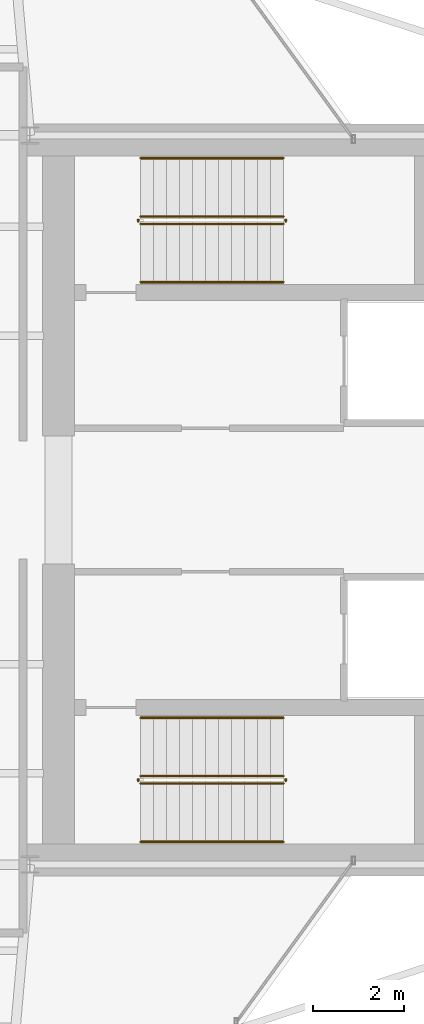
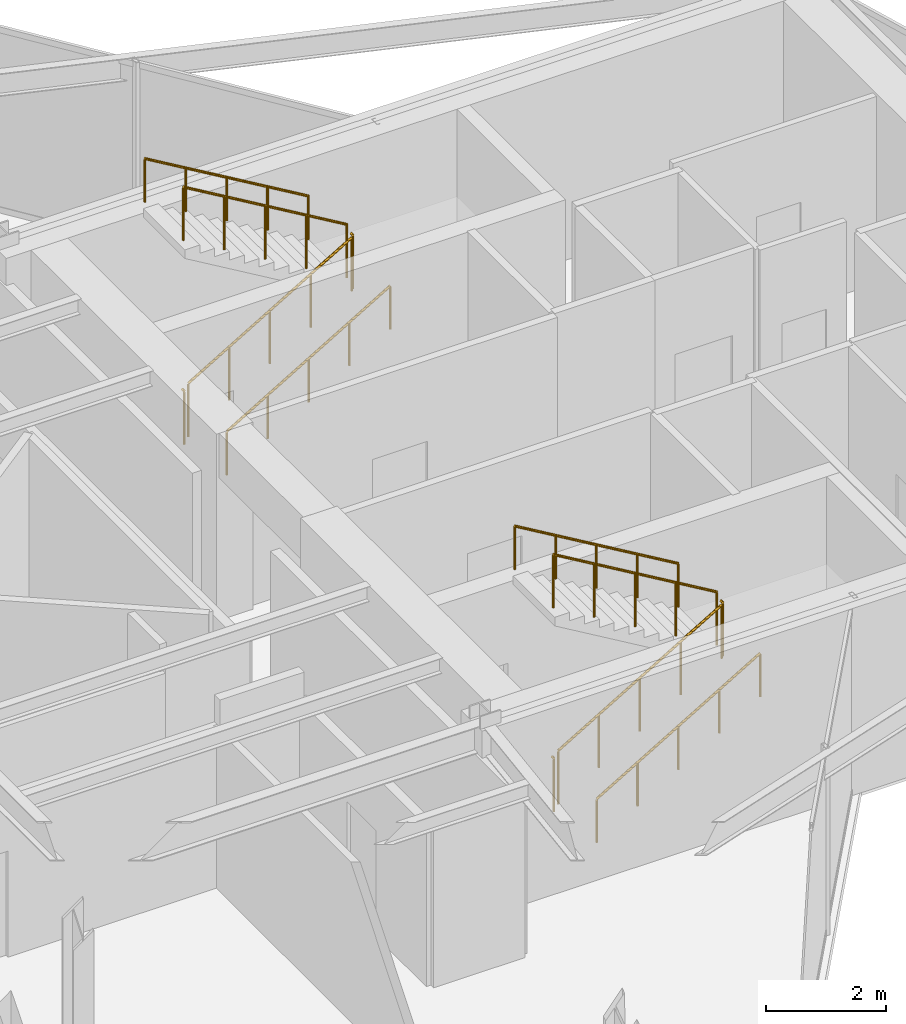
# One storey, part 21 of 21: 12 railings.
"""IFC4 building model written with IfcOpenShell, lengths in metres."""

from ifc_helpers import new_model, si_unit, direction, frame, origin, origin_2d, place, context, subcontext, project, spatial, circle, extrude, material, type_object, element, save


model = new_model("IFC4")

# Units and contexts
model_context = context("Model", 3, precision=1e-05, world=origin(), true_north=direction((0.0, 1.0)))
body_context = subcontext(model_context, "Body", "Model", "MODEL_VIEW")
ifc_project = project(units=[si_unit("LENGTHUNIT", "METRE"), si_unit("AREAUNIT", "SQUARE_METRE"), si_unit("VOLUMEUNIT", "CUBIC_METRE"), si_unit("PLANEANGLEUNIT", "RADIAN"), si_unit("MASSUNIT", "GRAM", prefix="KILO")], contexts=[model_context])

# Site, building, storey
site_placement = place(None, origin())
site = spatial("IfcSite", under=ifc_project, at=site_placement, CompositionType="ELEMENT")
building_placement = place(site_placement, origin())
building = spatial("IfcBuilding", under=site, at=building_placement, Name="Veymaron Broadcast Tower", CompositionType="ELEMENT")
storey_placement = place(building_placement, frame((0.0, 0.0, 232.35009765625)))
storey = spatial("IfcBuildingStorey", under=building, at=storey_placement, Name="L54", CompositionType="ELEMENT", Elevation=232.35009765625)

# Railings
ifc_material_1 = material(Name="Brushed stainless steel AISI 304", Category="steel")
railing_type_1 = type_object("IfcRailingType", Name="RAIL-STAIR-HR", PredefinedType="HANDRAIL", material=ifc_material_1)
railing_1_placement = place(storey_placement, frame((41.429931640625, 28.780029296875, 0.168701171875)))
element("IfcRailing", 1, at=railing_1_placement, inside=storey, type_object=railing_type_1, Name="L54 ST1 stair handrail 1", PredefinedType="HANDRAIL", context=body_context, shape_type="SweptSolid", body=[
    extrude(circle(Radius=0.02392578125, at=origin_2d()), frame((0.0, 0.0, 0.8759765625), z_axis=(0.860481960309, 0.0, 0.509480908359), x_axis=(0.0, 1.0, 0.0)), (0.0, 0.0, 1.0), 3.643310546875),
    extrude(circle(Radius=0.02099609375, at=origin_2d()), origin(), (0.0, 0.0, 1.0), 0.851806640625),
    extrude(circle(Radius=0.02099609375, at=origin_2d()), frame((0.78369140625, 0.0, 0.464111328125)), (0.0, 0.0, 1.0), 0.851806640625),
    extrude(circle(Radius=0.02099609375, at=origin_2d()), frame((1.5673828125, 0.0, 0.92822265625)), (0.0, 0.0, 1.0), 0.851806640625),
    extrude(circle(Radius=0.02099609375, at=origin_2d()), frame((2.351318359375, 0.0, 1.39208984375)), (0.0, 0.0, 1.0), 0.851806640625),
    extrude(circle(Radius=0.02099609375, at=origin_2d()), frame((3.135009765625, 0.0, 1.856201171875)), (0.0, 0.0, 1.0), 0.851806640625),
])
railing_2_placement = place(storey_placement, frame((44.56494140625, 31.5, 2.193603515625)))
element("IfcRailing", 2, at=railing_2_placement, inside=storey, type_object=railing_type_1, Name="L54 ST1 stair handrail 2", PredefinedType="HANDRAIL", context=body_context, shape_type="SweptSolid", body=[
    extrude(circle(Radius=0.02392578125, at=origin_2d()), frame((0.0, 0.0, 0.8759765625), z_axis=(-0.860481960309, 0.0, 0.509480908359), x_axis=(0.0, -1.0, 0.0)), (0.0, 0.0, 1.0), 3.643310546875),
    extrude(circle(Radius=0.02099609375, at=origin_2d()), origin(), (0.0, 0.0, 1.0), 0.851806640625),
    extrude(circle(Radius=0.02099609375, at=origin_2d()), frame((-0.78369140625, 0.0, 0.464111328125)), (0.0, 0.0, 1.0), 0.851806640625),
    extrude(circle(Radius=0.02099609375, at=origin_2d()), frame((-1.5673828125, 0.0, 0.92822265625)), (0.0, 0.0, 1.0), 0.851806640625),
    extrude(circle(Radius=0.02099609375, at=origin_2d()), frame((-2.351318359375, 0.0, 1.39208984375)), (0.0, 0.0, 1.0), 0.851806640625),
    extrude(circle(Radius=0.02099609375, at=origin_2d()), frame((-3.135009765625, 0.0, 1.856201171875)), (0.0, 0.0, 1.0), 0.851806640625),
])
railing_3_placement = place(storey_placement, frame((41.429931640625, 16.5, 0.168701171875)))
element("IfcRailing", 3, at=railing_3_placement, inside=storey, type_object=railing_type_1, Name="L54 ST2 stair handrail 1", PredefinedType="HANDRAIL", context=body_context, shape_type="SweptSolid", body=[
    extrude(circle(Radius=0.02392578125, at=origin_2d()), frame((0.0, 0.0, 0.8759765625), z_axis=(0.860481960309, 0.0, 0.509480908359), x_axis=(0.0, 1.0, 0.0)), (0.0, 0.0, 1.0), 3.643310546875),
    extrude(circle(Radius=0.02099609375, at=origin_2d()), origin(), (0.0, 0.0, 1.0), 0.851806640625),
    extrude(circle(Radius=0.02099609375, at=origin_2d()), frame((0.78369140625, 0.0, 0.464111328125)), (0.0, 0.0, 1.0), 0.851806640625),
    extrude(circle(Radius=0.02099609375, at=origin_2d()), frame((1.5673828125, 0.0, 0.92822265625)), (0.0, 0.0, 1.0), 0.851806640625),
    extrude(circle(Radius=0.02099609375, at=origin_2d()), frame((2.351318359375, 0.0, 1.39208984375)), (0.0, 0.0, 1.0), 0.851806640625),
    extrude(circle(Radius=0.02099609375, at=origin_2d()), frame((3.135009765625, 0.0, 1.856201171875)), (0.0, 0.0, 1.0), 0.851806640625),
])
railing_4_placement = place(storey_placement, frame((44.56494140625, 19.219970703125, 2.193603515625)))
element("IfcRailing", 4, at=railing_4_placement, inside=storey, type_object=railing_type_1, Name="L54 ST2 stair handrail 2", PredefinedType="HANDRAIL", context=body_context, shape_type="SweptSolid", body=[
    extrude(circle(Radius=0.02392578125, at=origin_2d()), frame((0.0, 0.0, 0.8759765625), z_axis=(-0.860481960309, 0.0, 0.509480908359), x_axis=(0.0, -1.0, 0.0)), (0.0, 0.0, 1.0), 3.643310546875),
    extrude(circle(Radius=0.02099609375, at=origin_2d()), origin(), (0.0, 0.0, 1.0), 0.851806640625),
    extrude(circle(Radius=0.02099609375, at=origin_2d()), frame((-0.78369140625, 0.0, 0.464111328125)), (0.0, 0.0, 1.0), 0.851806640625),
    extrude(circle(Radius=0.02099609375, at=origin_2d()), frame((-1.5673828125, 0.0, 0.92822265625)), (0.0, 0.0, 1.0), 0.851806640625),
    extrude(circle(Radius=0.02099609375, at=origin_2d()), frame((-2.351318359375, 0.0, 1.39208984375)), (0.0, 0.0, 1.0), 0.851806640625),
    extrude(circle(Radius=0.02099609375, at=origin_2d()), frame((-3.135009765625, 0.0, 1.856201171875)), (0.0, 0.0, 1.0), 0.851806640625),
])
ifc_material_2 = material(Name="Painted galvanized steel balustrade", Category="steel")
railing_type_2 = type_object("IfcRailingType", Name="RAIL-WELL-GRD", PredefinedType="GUARDRAIL", material=ifc_material_2)
railing_5_placement = place(storey_placement, frame((41.429931640625, 30.06005859375, 0.168701171875)))
element("IfcRailing", 5, at=railing_5_placement, inside=storey, type_object=railing_type_2, Name="L54 ST1 stair guard 1", PredefinedType="GUARDRAIL", context=body_context, shape_type="SweptSolid", body=[
    extrude(circle(Radius=0.02392578125, at=origin_2d()), frame((0.0, 0.0, 1.076171875), z_axis=(0.860481960309, 0.0, 0.509480908359), x_axis=(0.0, 1.0, 0.0)), (0.0, 0.0, 1.0), 3.643310546875),
    extrude(circle(Radius=0.02099609375, at=origin_2d()), origin(), (0.0, 0.0, 1.0), 1.052001953125),
    extrude(circle(Radius=0.02099609375, at=origin_2d()), frame((0.78369140625, 0.0, 0.464111328125)), (0.0, 0.0, 1.0), 1.052001953125),
    extrude(circle(Radius=0.02099609375, at=origin_2d()), frame((1.5673828125, 0.0, 0.92822265625)), (0.0, 0.0, 1.0), 1.052001953125),
    extrude(circle(Radius=0.02099609375, at=origin_2d()), frame((2.351318359375, 0.0, 1.39208984375)), (0.0, 0.0, 1.0), 1.052001953125),
    extrude(circle(Radius=0.02099609375, at=origin_2d()), frame((3.135009765625, 0.0, 1.856201171875)), (0.0, 0.0, 1.0), 1.052001953125),
])
railing_6_placement = place(storey_placement, frame((44.614990234375, 30.110107421875, 2.02490234375)))
element("IfcRailing", 6, at=railing_6_placement, inside=storey, type_object=railing_type_2, Name="L54 ST1 stair guard 2", PredefinedType="GUARDRAIL", context=body_context, shape_type="SweptSolid", body=[
    extrude(circle(Radius=0.02392578125, at=origin_2d()), frame((0.0, 0.0, 1.076171875), z_axis=(0.0, 1.0, 0.0), x_axis=(-1.0, 0.0, 0.0)), (0.0, 0.0, 1.0), 0.059814453125),
    extrude(circle(Radius=0.02099609375, at=origin_2d()), origin(), (0.0, 0.0, 1.0), 1.052001953125),
])
railing_7_placement = place(storey_placement, frame((44.56494140625, 30.219970703125, 2.193603515625)))
element("IfcRailing", 7, at=railing_7_placement, inside=storey, type_object=railing_type_2, Name="L54 ST1 stair guard 3", PredefinedType="GUARDRAIL", context=body_context, shape_type="SweptSolid", body=[
    extrude(circle(Radius=0.02392578125, at=origin_2d()), frame((0.0, 0.0, 1.076171875), z_axis=(-0.860481960309, 0.0, 0.509480908359), x_axis=(0.0, -1.0, 0.0)), (0.0, 0.0, 1.0), 3.643310546875),
    extrude(circle(Radius=0.02099609375, at=origin_2d()), origin(), (0.0, 0.0, 1.0), 1.052001953125),
    extrude(circle(Radius=0.02099609375, at=origin_2d()), frame((-0.78369140625, 0.0, 0.464111328125)), (0.0, 0.0, 1.0), 1.052001953125),
    extrude(circle(Radius=0.02099609375, at=origin_2d()), frame((-1.5673828125, 0.0, 0.92822265625)), (0.0, 0.0, 1.0), 1.052001953125),
    extrude(circle(Radius=0.02099609375, at=origin_2d()), frame((-2.351318359375, 0.0, 1.39208984375)), (0.0, 0.0, 1.0), 1.052001953125),
    extrude(circle(Radius=0.02099609375, at=origin_2d()), frame((-3.135009765625, 0.0, 1.856201171875)), (0.0, 0.0, 1.0), 1.052001953125),
])
railing_8_placement = place(storey_placement, frame((41.3798828125, 30.110107421875, 0.0)))
element("IfcRailing", 8, at=railing_8_placement, inside=storey, type_object=railing_type_2, Name="L54 ST1 stair guard 4", PredefinedType="GUARDRAIL", context=body_context, shape_type="SweptSolid", body=[
    extrude(circle(Radius=0.02392578125, at=origin_2d()), frame((0.0, 0.0, 1.076171875), z_axis=(0.0, 1.0, 0.0), x_axis=(-1.0, 0.0, 0.0)), (0.0, 0.0, 1.0), 0.059814453125),
    extrude(circle(Radius=0.02099609375, at=origin_2d()), origin(), (0.0, 0.0, 1.0), 1.052001953125),
])
railing_9_placement = place(storey_placement, frame((41.429931640625, 17.780029296875, 0.168701171875)))
element("IfcRailing", 9, at=railing_9_placement, inside=storey, type_object=railing_type_2, Name="L54 ST2 stair guard 1", PredefinedType="GUARDRAIL", context=body_context, shape_type="SweptSolid", body=[
    extrude(circle(Radius=0.02392578125, at=origin_2d()), frame((0.0, 0.0, 1.076171875), z_axis=(0.860481960309, 0.0, 0.509480908359), x_axis=(0.0, 1.0, 0.0)), (0.0, 0.0, 1.0), 3.643310546875),
    extrude(circle(Radius=0.02099609375, at=origin_2d()), origin(), (0.0, 0.0, 1.0), 1.052001953125),
    extrude(circle(Radius=0.02099609375, at=origin_2d()), frame((0.78369140625, 0.0, 0.464111328125)), (0.0, 0.0, 1.0), 1.052001953125),
    extrude(circle(Radius=0.02099609375, at=origin_2d()), frame((1.5673828125, 0.0, 0.92822265625)), (0.0, 0.0, 1.0), 1.052001953125),
    extrude(circle(Radius=0.02099609375, at=origin_2d()), frame((2.351318359375, 0.0, 1.39208984375)), (0.0, 0.0, 1.0), 1.052001953125),
    extrude(circle(Radius=0.02099609375, at=origin_2d()), frame((3.135009765625, 0.0, 1.856201171875)), (0.0, 0.0, 1.0), 1.052001953125),
])
railing_10_placement = place(storey_placement, frame((44.614990234375, 17.830078125, 2.02490234375)))
element("IfcRailing", 10, at=railing_10_placement, inside=storey, type_object=railing_type_2, Name="L54 ST2 stair guard 2", PredefinedType="GUARDRAIL", context=body_context, shape_type="SweptSolid", body=[
    extrude(circle(Radius=0.02392578125, at=origin_2d()), frame((0.0, 0.0, 1.076171875), z_axis=(0.0, 1.0, 0.0), x_axis=(-1.0, 0.0, 0.0)), (0.0, 0.0, 1.0), 0.059814453125),
    extrude(circle(Radius=0.02099609375, at=origin_2d()), origin(), (0.0, 0.0, 1.0), 1.052001953125),
])
railing_11_placement = place(storey_placement, frame((44.56494140625, 17.93994140625, 2.193603515625)))
element("IfcRailing", 11, at=railing_11_placement, inside=storey, type_object=railing_type_2, Name="L54 ST2 stair guard 3", PredefinedType="GUARDRAIL", context=body_context, shape_type="SweptSolid", body=[
    extrude(circle(Radius=0.02392578125, at=origin_2d()), frame((0.0, 0.0, 1.076171875), z_axis=(-0.860481960309, 0.0, 0.509480908359), x_axis=(0.0, -1.0, 0.0)), (0.0, 0.0, 1.0), 3.643310546875),
    extrude(circle(Radius=0.02099609375, at=origin_2d()), origin(), (0.0, 0.0, 1.0), 1.052001953125),
    extrude(circle(Radius=0.02099609375, at=origin_2d()), frame((-0.78369140625, 0.0, 0.464111328125)), (0.0, 0.0, 1.0), 1.052001953125),
    extrude(circle(Radius=0.02099609375, at=origin_2d()), frame((-1.5673828125, 0.0, 0.92822265625)), (0.0, 0.0, 1.0), 1.052001953125),
    extrude(circle(Radius=0.02099609375, at=origin_2d()), frame((-2.351318359375, 0.0, 1.39208984375)), (0.0, 0.0, 1.0), 1.052001953125),
    extrude(circle(Radius=0.02099609375, at=origin_2d()), frame((-3.135009765625, 0.0, 1.856201171875)), (0.0, 0.0, 1.0), 1.052001953125),
])
railing_12_placement = place(storey_placement, frame((41.3798828125, 17.830078125, 0.0)))
element("IfcRailing", 12, at=railing_12_placement, inside=storey, type_object=railing_type_2, Name="L54 ST2 stair guard 4", PredefinedType="GUARDRAIL", context=body_context, shape_type="SweptSolid", body=[
    extrude(circle(Radius=0.02392578125, at=origin_2d()), frame((0.0, 0.0, 1.076171875), z_axis=(0.0, 1.0, 0.0), x_axis=(-1.0, 0.0, 0.0)), (0.0, 0.0, 1.0), 0.059814453125),
    extrude(circle(Radius=0.02099609375, at=origin_2d()), origin(), (0.0, 0.0, 1.0), 1.052001953125),
])

save(model, "model.ifc")
